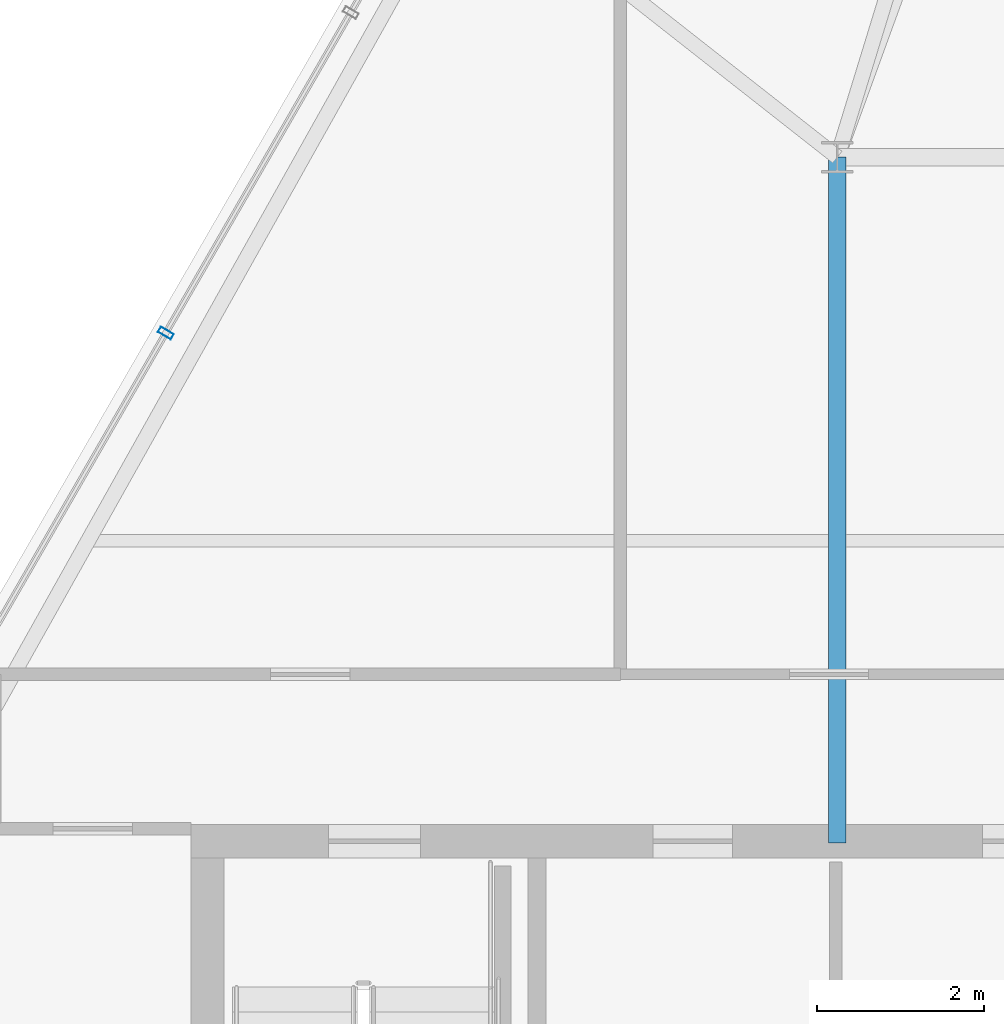
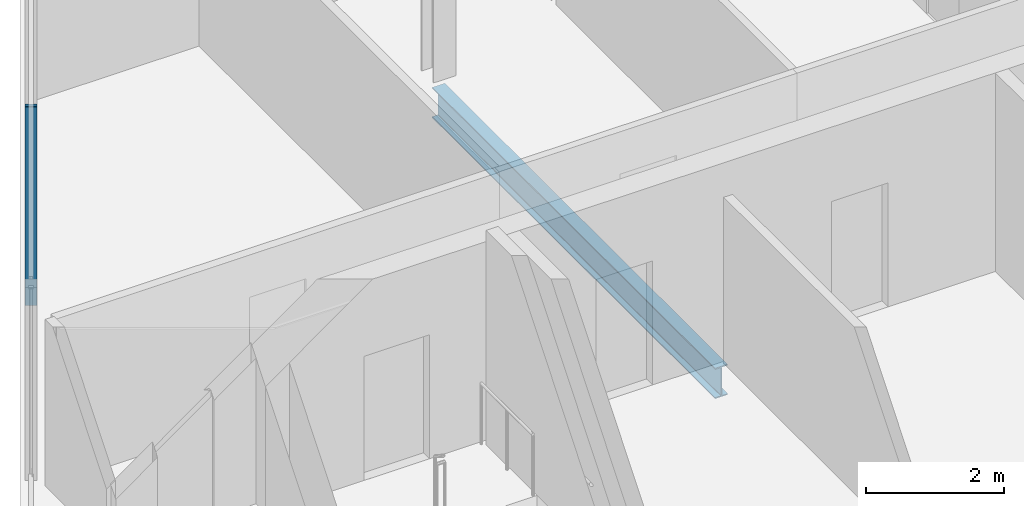
# One storey, part 8 of 35: 1 beam, 1 member, 1 element without a shape of its own.
"""IFC4 building model written with IfcOpenShell, lengths in metres."""

from ifc_helpers import new_model, si_unit, direction, frame, origin, origin_2d, place, context, subcontext, project, spatial, hollow_rectangle, i_section, extrude, material, layer, layer_set, material_profile, profile_set, type_object, element, aggregate, save


model = new_model("IFC4")

# Units and contexts
model_context = context("Model", 3, precision=1e-05, world=origin(), true_north=direction((0.0, 1.0)))
body_context = subcontext(model_context, "Body", "Model", "MODEL_VIEW")
ifc_project = project(units=[si_unit("LENGTHUNIT", "METRE"), si_unit("AREAUNIT", "SQUARE_METRE"), si_unit("VOLUMEUNIT", "CUBIC_METRE"), si_unit("PLANEANGLEUNIT", "RADIAN"), si_unit("MASSUNIT", "GRAM", prefix="KILO")], contexts=[model_context])

# Site, building, storey
site_placement = place(None, origin())
site = spatial("IfcSite", under=ifc_project, at=site_placement, CompositionType="ELEMENT")
building_placement = place(site_placement, origin())
building = spatial("IfcBuilding", under=site, at=building_placement, Name="Ndaravel Arena Tower", CompositionType="ELEMENT")
storey_placement = place(building_placement, frame((0.0, 0.0, 275.0)))
storey = spatial("IfcBuildingStorey", under=building, at=storey_placement, Name="L67", CompositionType="ELEMENT", Elevation=275.0)

# Beam
ifc_material_1 = material(Name="Steel S355", Category="steel")
ifc_material_profile_1 = material_profile(ifc_material_1, i_section(OverallWidth=0.210693359375, OverallDepth=0.53955078125, WebThickness=0.01171875, FlangeThickness=0.018798828125, FilletRadius=0.0126953125, at=origin_2d()), Name="UB 533x210x109")
ifc_profile_set_1 = profile_set([ifc_material_profile_1], Name="Steel S355")
beam_type = type_object("IfcBeamType", Name="BM-GIRD-UB533", PredefinedType="BEAM", material=ifc_profile_set_1)
beam_placement = place(storey_placement, frame((34.199951171875, 14.97998046875, -0.48974609375), z_axis=(0.0, 1.0, 0.0), x_axis=(-1.0, 0.0, 0.0)))
element("IfcBeam", 1, at=beam_placement, inside=storey, type_object=beam_type, Name="L67 Spine Link Girder SLG-01", PredefinedType="BEAM", context=body_context, shape_type="SweptSolid", body=[
    extrude(i_section(OverallWidth=0.210693359375, OverallDepth=0.53955078125, WebThickness=0.01171875, FlangeThickness=0.018798828125, FilletRadius=0.0126953125, at=origin_2d()), origin(), (0.0, 0.0, 1.0), 8.219970703125),
])

# Curtain wall, member
ifc_material_2 = material(Name="Aluminium", Category="aluminium")
ifc_layer = layer(ifc_material_2, 0.179931640625)
ifc_layer_set = layer_set([ifc_layer], Name="Aluminium")
curtain_wall_type = type_object("IfcCurtainWallType", Name="CW-SYS-03", PredefinedType="NOTDEFINED", material=ifc_layer_set)
curtain_wall_placement = place(storey_placement, origin())
curtain_wall = element("IfcCurtainWall", 2, at=curtain_wall_placement, inside=storey, type_object=curtain_wall_type, Name="L67 Faceted Crystal Curtain Wall CW-L67-E05", PredefinedType="NOTDEFINED")
ifc_material_3 = material(Name="Aluminium", Category="aluminium")
ifc_material_profile_2 = material_profile(ifc_material_3, hollow_rectangle(XDim=0.074951171875, YDim=0.179931640625, WallThickness=0.00390625, at=origin_2d()), Name="CW MULLION 75x180x4")
ifc_profile_set_2 = profile_set([ifc_material_profile_2], Name="Aluminium")
member_type = type_object("IfcMemberType", Name="MEM-CW-MUL180", PredefinedType="MULLION", material=ifc_profile_set_2)
member_placement = place(storey_placement, frame((26.149169921875, 21.091064453125, 0.0), z_axis=(0.0, 0.0, 1.0), x_axis=(-0.5, -0.866025403784, 0.0)))
member = element("IfcMember", 3, at=member_placement, type_object=member_type, Name="CW-L67-E05 Mullion 06", PredefinedType="MULLION", context=body_context, shape_type="SweptSolid", body=[
    extrude(hollow_rectangle(XDim=0.074951171875, YDim=0.179931640625, WallThickness=0.00390625, at=origin_2d()), origin(), (0.0, 0.0, 1.0), 3.52001953125),
])
aggregate(curtain_wall, [member])

save(model, "model.ifc")
